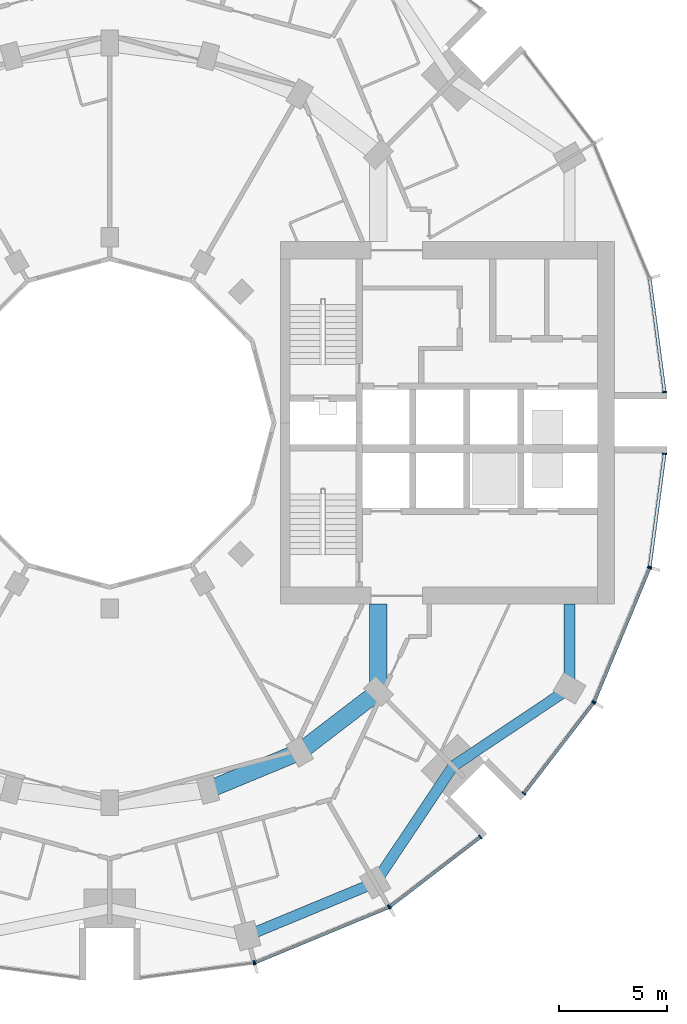
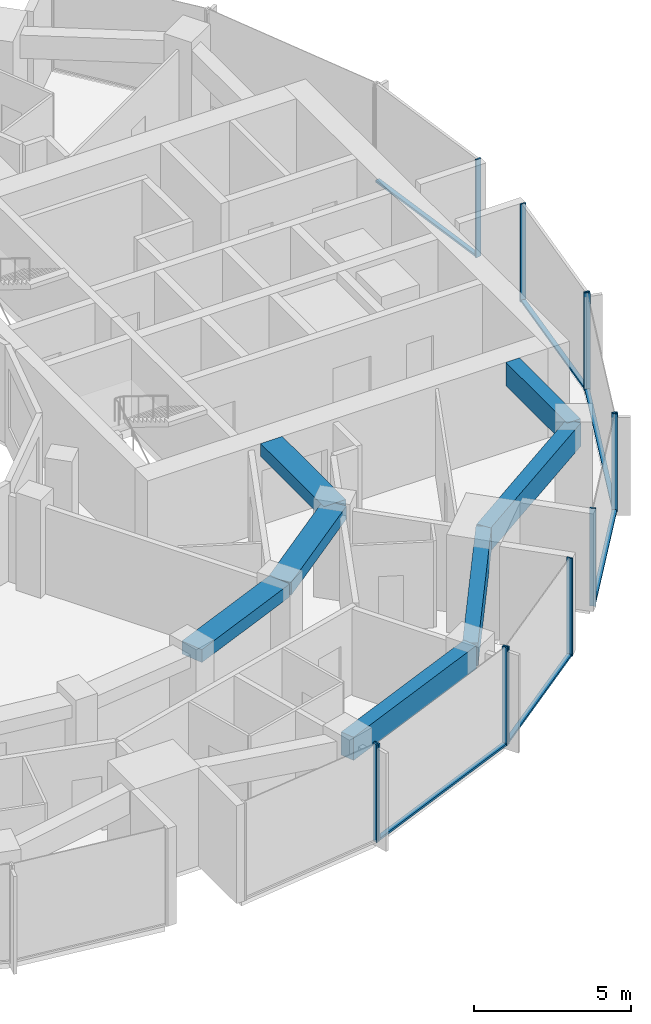
# One storey, part 4 of 15: 18 members, 7 beams, 7 elements without a shape of their own.
"""IFC4 building model written with IfcOpenShell, lengths in metres."""

import ifcopenshell
import ifcopenshell.guid

model = None  # the IFC model being written
_history = None  # IfcOwnerHistory: only IFC2X3 demands one
_inside = {}  # id of a spatial element -> (the spatial element, [elements in it])
_under = {}  # id of a project, library or spatial element -> (it, [spatial elements below it])
_declared = {}  # id of a project -> (the project, [libraries it declares])
_typed = {}  # id of a type object -> (the type object, [elements of that type])
_made_of = {}  # id of a material, layer set ... -> (it, [elements and type objects made of it])


def new_model(schema):
    """Start an empty IFC model of exactly this schema.

    Asked for "IFC4X3", IfcOpenShell would pick the latest addendum, in which some entities
    have other attributes; the version numbers below select the first issue.
    IFC2X3 requires an IfcOwnerHistory on every rooted entity: one is made here for all.
    """
    global model, _history
    if schema == "IFC4X3":
        model = ifcopenshell.file(schema_version=(4, 3, 0, 0))
    else:
        model = ifcopenshell.file(schema=schema)
    _inside.clear()
    _under.clear()
    _declared.clear()
    _typed.clear()
    _made_of.clear()
    _history = None
    if model.schema == "IFC2X3":
        org = make("IfcOrganization", Name="unknown")
        user = make(
            "IfcPersonAndOrganization",
            ThePerson=make("IfcPerson", FamilyName="unknown"),
            TheOrganization=org,
        )
        app = make(
            "IfcApplication",
            ApplicationDeveloper=org,
            Version="unknown",
            ApplicationFullName="unknown",
            ApplicationIdentifier="unknown",
        )
        _history = make(
            "IfcOwnerHistory",
            OwningUser=user,
            OwningApplication=app,
            ChangeAction="ADDED",
            CreationDate=0,
        )
    return model


def make(cls, **values):
    """One entity of the class cls with the attributes given. An attribute that is None is left unset."""
    return model.create_entity(
        cls, **{name: value for name, value in values.items() if value is not None}
    )


def rooted(cls, **values):
    """An entity with a GlobalId (a new one), such as an element, a storey or a relation."""
    return make(cls, GlobalId=ifcopenshell.guid.new(), OwnerHistory=_history, **values)


def si_unit(unit_type, name, prefix=None):
    """IfcSIUnit, for example si_unit("LENGTHUNIT", "METRE", prefix="MILLI")."""
    return make("IfcSIUnit", UnitType=unit_type, Prefix=prefix, Name=name)


def assignment(units):
    """IfcUnitAssignment: the units of a project."""
    return None if units is None else make("IfcUnitAssignment", Units=units)


def point(xyz):
    """IfcCartesianPoint."""
    return None if xyz is None else make("IfcCartesianPoint", Coordinates=xyz)


def direction(xyz):
    """IfcDirection."""
    return None if xyz is None else make("IfcDirection", DirectionRatios=xyz)


def frame(location, z_axis=None, x_axis=None):
    """IfcAxis2Placement3D, a coordinate frame: its origin and axes. An axis left out is left unset."""
    return make(
        "IfcAxis2Placement3D",
        Location=point(location),
        Axis=direction(z_axis),
        RefDirection=direction(x_axis),
    )


def frame_2d(location, x_axis=None):
    """IfcAxis2Placement2D, a coordinate frame in the plane: its origin and x axis."""
    return make(
        "IfcAxis2Placement2D", Location=point(location), RefDirection=direction(x_axis)
    )


def origin():
    """The frame at (0, 0, 0) with its axes left unset."""
    return frame((0.0, 0.0, 0.0))


def origin_2d():
    """The frame at (0, 0) in the plane with its x axis left unset."""
    return frame_2d((0.0, 0.0))


def place(relative_to, where):
    """IfcLocalPlacement: puts the frame where relative to a parent placement (None: the world)."""
    return make(
        "IfcLocalPlacement", PlacementRelTo=relative_to, RelativePlacement=where
    )


def context(
    kind, dimensions, precision=None, world=None, true_north=None, identifier=None
):
    """IfcGeometricRepresentationContext, for example the 3D "Model" context."""
    return make(
        "IfcGeometricRepresentationContext",
        ContextIdentifier=identifier,
        ContextType=kind,
        CoordinateSpaceDimension=dimensions,
        Precision=precision,
        WorldCoordinateSystem=world,
        TrueNorth=true_north,
    )


def subcontext(parent, identifier, kind, view, scale=None):
    """IfcGeometricRepresentationSubContext, for example "Body" below "Model"."""
    return make(
        "IfcGeometricRepresentationSubContext",
        ContextIdentifier=identifier,
        ContextType=kind,
        ParentContext=parent,
        TargetScale=scale,
        TargetView=view,
    )


def project(units=None, contexts=None):
    """IfcProject with its units and contexts."""
    return rooted(
        "IfcProject",
        Name="project",
        RepresentationContexts=contexts,
        UnitsInContext=assignment(units),
    )


def spatial(cls, under=None, at=None, **own):
    """A site, building, storey or space (cls), placed at a placement, below another one or the project."""
    s = rooted(cls, ObjectPlacement=at, **own)
    if under is not None:
        _under.setdefault(under.id(), (under, []))[1].append(s)
    return s


def profile(cls, at=None, kind="AREA", **sizes):
    """A parametric profile (cls). Its sizes go by their IFC names, for example OverallWidth=200.0."""
    return make(cls, ProfileType=kind, Position=at, **sizes)


def rectangle(**sizes):
    """IfcRectangleProfileDef."""
    return profile("IfcRectangleProfileDef", **sizes)


def extrude(swept, where, along, depth):
    """IfcExtrudedAreaSolid: the profile swept, set in the frame where, extruded along a direction by depth."""
    return make(
        "IfcExtrudedAreaSolid",
        SweptArea=swept,
        Position=where,
        ExtrudedDirection=direction(along),
        Depth=depth,
    )


def shape(context_of_items, identifier, shape_type, items):
    """IfcShapeRepresentation: the items that make up one representation, for example the "Body"."""
    return make(
        "IfcShapeRepresentation",
        ContextOfItems=context_of_items,
        RepresentationIdentifier=identifier,
        RepresentationType=shape_type,
        Items=items,
    )


def material(Name=None, Category=None):
    """IfcMaterial."""
    return make("IfcMaterial", Name=Name, Category=Category)


def layer(
    of_material, thickness, ventilated=None, Name=None, Category=None, Priority=None
):
    """IfcMaterialLayer: one layer of a wall or slab, of a material (None: an air gap)."""
    return make(
        "IfcMaterialLayer",
        Material=of_material,
        LayerThickness=thickness,
        IsVentilated=ventilated,
        Name=Name,
        Category=Category,
        Priority=Priority,
    )


def layer_set(layers, Name=None):
    """IfcMaterialLayerSet."""
    return make("IfcMaterialLayerSet", MaterialLayers=layers, LayerSetName=Name)


def material_profile(
    of_material, cross_section, Name=None, Category=None, Priority=None
):
    """IfcMaterialProfile: a cross section and its material."""
    return make(
        "IfcMaterialProfile",
        Name=Name,
        Material=of_material,
        Profile=cross_section,
        Priority=Priority,
        Category=Category,
    )


def profile_set(profiles, Name=None, composite=None):
    """IfcMaterialProfileSet."""
    return make(
        "IfcMaterialProfileSet",
        Name=Name,
        MaterialProfiles=profiles,
        CompositeProfile=composite,
    )


def made_of(thing, what):
    """Note that an element or type object is made of a material, layer set ...; save() writes the relation."""
    if what is not None:
        _made_of.setdefault(what.id(), (what, []))[1].append(thing)
    return thing


def type_object(cls, material=None, **own):
    """A type object (cls), such as IfcWallType, which elements share."""
    return made_of(rooted(cls, **own), material)


def element(
    cls,
    number,
    at=None,
    inside=None,
    cuts=None,
    type_object=None,
    material=None,
    context=None,
    identifier="Body",
    shape_type=None,
    held_by="IfcProductDefinitionShape",
    body=None,
    shapes=None,
    **own,
):
    """One element of the class cls, such as IfcWall. Its Tag is "e" and its number.

    at: its placement. inside: the storey or other place that contains it. cuts: it is an
    opening in that element (IfcRelVoidsElement). A single representation is given by context,
    identifier, shape_type and body (its items); several are given by shapes. held_by: the class
    of the entity that holds the representations. save() writes the other relations.
    """
    e = rooted(cls, Tag="e%d" % number, ObjectPlacement=at, **own)
    if body is not None:
        shapes = [shape(context, identifier, shape_type, body)]
    if shapes is not None:
        e.Representation = make(held_by, Representations=shapes)
    if inside is not None:
        _inside.setdefault(inside.id(), (inside, []))[1].append(e)
    if cuts is not None:
        rooted(
            "IfcRelVoidsElement", RelatingBuildingElement=cuts, RelatedOpeningElement=e
        )
    if type_object is not None:
        _typed.setdefault(type_object.id(), (type_object, []))[1].append(e)
    return made_of(e, material)


def aggregate(whole, parts):
    """IfcRelAggregates: a whole, such as a stair, and the parts it consists of."""
    return rooted("IfcRelAggregates", RelatingObject=whole, RelatedObjects=parts)


def save(model, path):
    """Write the relations noted so far, then the file.

    IfcRelAggregates (storeys below a building ...), IfcRelContainedInSpatialStructure (elements
    in a storey), IfcRelDefinesByType, IfcRelAssociatesMaterial and IfcRelDeclares: one each for
    every whole, place, type object, material and project.
    """
    for whole, parts in _under.values():
        aggregate(whole, parts)
    for where, things in _inside.values():
        rooted(
            "IfcRelContainedInSpatialStructure",
            RelatedElements=things,
            RelatingStructure=where,
        )
    for kind, things in _typed.values():
        rooted("IfcRelDefinesByType", RelatedObjects=things, RelatingType=kind)
    for what, things in _made_of.values():
        rooted("IfcRelAssociatesMaterial", RelatedObjects=things, RelatingMaterial=what)
    for by, libraries in _declared.values():
        rooted("IfcRelDeclares", RelatingContext=by, RelatedDefinitions=libraries)
    model.write(path)


model = new_model("IFC4")

# Units and contexts
model_context = context("Model", 3, precision=1e-05, world=origin(), true_north=direction((0.0, 1.0)))
body_context = subcontext(model_context, "Body", "Model", "MODEL_VIEW")
ifc_project = project(units=[si_unit("LENGTHUNIT", "METRE"), si_unit("AREAUNIT", "SQUARE_METRE"), si_unit("VOLUMEUNIT", "CUBIC_METRE"), si_unit("PLANEANGLEUNIT", "RADIAN"), si_unit("MASSUNIT", "GRAM", prefix="KILO")], contexts=[model_context])

# Site, building, storey
site_placement = place(None, origin())
site = spatial("IfcSite", under=ifc_project, at=site_placement, CompositionType="ELEMENT")
building_placement = place(site_placement, origin())
building = spatial("IfcBuilding", under=site, at=building_placement, Name="Torre Brocal", CompositionType="ELEMENT")
storey_placement = place(building_placement, frame((0.0, 0.0, 90.0)))
storey = spatial("IfcBuildingStorey", under=building, at=storey_placement, Name="L20", CompositionType="ELEMENT", Elevation=90.0)

# Curtain wall, member
ifc_material_1 = material(Name="Aluminium and glass", Category="aluminium")
ifc_layer_1 = layer(ifc_material_1, 0.199951171875)
ifc_layer_set_1 = layer_set([ifc_layer_1], Name="Aluminium and glass")
curtain_wall_type_1 = type_object("IfcCurtainWallType", Name="CW-1 CURTAIN WALL 3800 HIGH", PredefinedType="NOTDEFINED", material=ifc_layer_set_1)
curtain_wall_1_placement = place(storey_placement, origin())
curtain_wall_1 = element("IfcCurtainWall", 1, at=curtain_wall_1_placement, inside=storey, type_object=curtain_wall_type_1, Name="CW-1 RUN 19", PredefinedType="NOTDEFINED")
ifc_material_2 = material(Name="Aluminium, dark anodised", Category="aluminium")
ifc_material_profile_1 = material_profile(ifc_material_2, rectangle(XDim=0.199951171875, YDim=0.06005859375, at=origin_2d()), Name="CW-1 MULLION 60X200")
ifc_profile_set_1 = profile_set([ifc_material_profile_1], Name="Aluminium, dark anodised")
member_type_1 = type_object("IfcMemberType", Name="CW-1 MULLION 60X200", PredefinedType="MULLION", material=ifc_profile_set_1)
member_1_placement = place(storey_placement, frame((86.67333984375, 49.9794921875, 0.0), z_axis=(0.0, 0.0, 1.0), x_axis=(-0.13052619222, 0.991444861374, 0.0)))
member_1 = element("IfcMember", 2, at=member_1_placement, type_object=member_type_1, Name="CW1-1 mullion 2", PredefinedType="MULLION", context=body_context, shape_type="SweptSolid", body=[
    extrude(rectangle(XDim=0.199951171875, YDim=0.06005859375, at=origin_2d()), origin(), (0.0, 0.0, 1.0), 3.800048828125),
])
aggregate(curtain_wall_1, [member_1])

# Curtain wall, members
curtain_wall_2_placement = place(storey_placement, origin())
curtain_wall_2 = element("IfcCurtainWall", 3, at=curtain_wall_2_placement, inside=storey, type_object=curtain_wall_type_1, Name="CW-1 RUN 20", PredefinedType="NOTDEFINED")
member_2_placement = place(storey_placement, frame((86.73095703125, 49.994873046875, 0.0), z_axis=(0.0, 0.0, 1.0), x_axis=(-0.382683432333, 0.923879532525, 0.0)))
member_2 = element("IfcMember", 4, at=member_2_placement, type_object=member_type_1, Name="CW1-1 mullion 1", PredefinedType="MULLION", context=body_context, shape_type="SweptSolid", body=[
    extrude(rectangle(XDim=0.199951171875, YDim=0.06005859375, at=origin_2d()), origin(), (0.0, 0.0, 1.0), 3.800048828125),
])
member_3_placement = place(storey_placement, frame((92.921875, 52.559326171875, 0.0), z_axis=(0.0, 0.0, 1.0), x_axis=(-0.382683432333, 0.923879532525, 0.0)))
member_3 = element("IfcMember", 5, at=member_3_placement, type_object=member_type_1, Name="CW1-1 mullion 2", PredefinedType="MULLION", context=body_context, shape_type="SweptSolid", body=[
    extrude(rectangle(XDim=0.199951171875, YDim=0.06005859375, at=origin_2d()), origin(), (0.0, 0.0, 1.0), 3.800048828125),
])

curtain_wall_3_placement = place(storey_placement, origin())
curtain_wall_3 = element("IfcCurtainWall", 6, at=curtain_wall_3_placement, inside=storey, type_object=curtain_wall_type_1, Name="CW-1 RUN 21", PredefinedType="NOTDEFINED")
member_4_placement = place(storey_placement, frame((92.973388671875, 52.5888671875, 0.0), z_axis=(0.0, 0.0, 1.0), x_axis=(-0.60876142905, 0.793353340259, 0.0)))
member_4 = element("IfcMember", 7, at=member_4_placement, type_object=member_type_1, Name="CW1-1 mullion 1", PredefinedType="MULLION", context=body_context, shape_type="SweptSolid", body=[
    extrude(rectangle(XDim=0.199951171875, YDim=0.06005859375, at=origin_2d()), origin(), (0.0, 0.0, 1.0), 3.800048828125),
])
member_5_placement = place(storey_placement, frame((97.16943359375, 55.80859375, 0.0), z_axis=(0.0, 0.0, 1.0), x_axis=(-0.60876142905, 0.793353340259, 0.0)))
member_5 = element("IfcMember", 8, at=member_5_placement, type_object=member_type_1, Name="CW1-1 mullion 2", PredefinedType="MULLION", context=body_context, shape_type="SweptSolid", body=[
    extrude(rectangle(XDim=0.199951171875, YDim=0.06005859375, at=origin_2d()), origin(), (0.0, 0.0, 1.0), 3.800048828125),
])

curtain_wall_4_placement = place(storey_placement, origin())
curtain_wall_4 = element("IfcCurtainWall", 9, at=curtain_wall_4_placement, inside=storey, type_object=curtain_wall_type_1, Name="CW-1 RUN 22", PredefinedType="NOTDEFINED")
member_6_placement = place(storey_placement, frame((99.19140625, 57.83056640625, 0.0), z_axis=(0.0, 0.0, 1.0), x_axis=(-0.793353340259, 0.60876142905, 0.0)))
member_6 = element("IfcMember", 10, at=member_6_placement, type_object=member_type_1, Name="CW1-1 mullion 1", PredefinedType="MULLION", context=body_context, shape_type="SweptSolid", body=[
    extrude(rectangle(XDim=0.199951171875, YDim=0.06005859375, at=origin_2d()), origin(), (0.0, 0.0, 1.0), 3.800048828125),
])
member_7_placement = place(storey_placement, frame((102.4111328125, 62.026611328125, 0.0), z_axis=(0.0, 0.0, 1.0), x_axis=(-0.793353340259, 0.60876142905, 0.0)))
member_7 = element("IfcMember", 11, at=member_7_placement, type_object=member_type_1, Name="CW1-1 mullion 2", PredefinedType="MULLION", context=body_context, shape_type="SweptSolid", body=[
    extrude(rectangle(XDim=0.199951171875, YDim=0.06005859375, at=origin_2d()), origin(), (0.0, 0.0, 1.0), 3.800048828125),
])

curtain_wall_5_placement = place(storey_placement, origin())
curtain_wall_5 = element("IfcCurtainWall", 12, at=curtain_wall_5_placement, inside=storey, type_object=curtain_wall_type_1, Name="CW-1 RUN 23", PredefinedType="NOTDEFINED")
member_8_placement = place(storey_placement, frame((102.440673828125, 62.078125, 0.0), z_axis=(0.0, 0.0, 1.0), x_axis=(-0.923879532525, 0.382683432333, 0.0)))
member_8 = element("IfcMember", 13, at=member_8_placement, type_object=member_type_1, Name="CW1-1 mullion 1", PredefinedType="MULLION", context=body_context, shape_type="SweptSolid", body=[
    extrude(rectangle(XDim=0.199951171875, YDim=0.06005859375, at=origin_2d()), origin(), (0.0, 0.0, 1.0), 3.800048828125),
])
member_9_placement = place(storey_placement, frame((105.005126953125, 68.26904296875, 0.0), z_axis=(0.0, 0.0, 1.0), x_axis=(-0.923879532525, 0.382683432333, 0.0)))
member_9 = element("IfcMember", 14, at=member_9_placement, type_object=member_type_1, Name="CW1-1 mullion 2", PredefinedType="MULLION", context=body_context, shape_type="SweptSolid", body=[
    extrude(rectangle(XDim=0.199951171875, YDim=0.06005859375, at=origin_2d()), origin(), (0.0, 0.0, 1.0), 3.800048828125),
])

# Member
ifc_material_3 = material(Name="Aluminium, dark anodised", Category="aluminium")
ifc_material_profile_2 = material_profile(ifc_material_3, rectangle(XDim=0.159912109375, YDim=0.080078125, at=origin_2d()), Name="CW-1 TRANSOM 160X80")
ifc_profile_set_2 = profile_set([ifc_material_profile_2], Name="Aluminium, dark anodised")
member_type_2 = type_object("IfcMemberType", Name="CW-1 TRANSOM 160X80", PredefinedType="USERDEFINED", material=ifc_profile_set_2)
member_10_placement = place(storey_placement, frame((86.758544921875, 50.00634765625, 0.0400390625), z_axis=(0.923887344364, 0.38266457234, 0.0), x_axis=(-0.38266457234, 0.923887344364, 0.0)))
member_10 = element("IfcMember", 15, at=member_10_placement, type_object=member_type_2, Name="CW1-1 transom 1.1", ObjectType="TRANSOM", PredefinedType="USERDEFINED", context=body_context, shape_type="SweptSolid", body=[
    extrude(rectangle(XDim=0.159912109375, YDim=0.080078125, at=origin_2d()), origin(), (0.0, 0.0, 1.0), 6.640869140625),
])

aggregate(curtain_wall_2, [member_2, member_3, member_10])

member_11_placement = place(storey_placement, frame((92.9970703125, 52.607177734375, 0.0400390625), z_axis=(0.79336281513, 0.60874908096, 0.0), x_axis=(-0.60874908096, 0.79336281513, 0.0)))
member_11 = element("IfcMember", 16, at=member_11_placement, type_object=member_type_2, Name="CW1-1 transom 1.1", ObjectType="TRANSOM", PredefinedType="USERDEFINED", context=body_context, shape_type="SweptSolid", body=[
    extrude(rectangle(XDim=0.159912109375, YDim=0.080078125, at=origin_2d()), origin(), (0.0, 0.0, 1.0), 5.22900390625),
])

aggregate(curtain_wall_3, [member_4, member_5, member_11])

member_12_placement = place(storey_placement, frame((99.209716796875, 57.8544921875, 0.0400390625), z_axis=(0.60874908096, 0.79336281513, 0.0), x_axis=(-0.79336281513, 0.60874908096, 0.0)))
member_12 = element("IfcMember", 17, at=member_12_placement, type_object=member_type_2, Name="CW1-1 transom 1.1", ObjectType="TRANSOM", PredefinedType="USERDEFINED", context=body_context, shape_type="SweptSolid", body=[
    extrude(rectangle(XDim=0.159912109375, YDim=0.080078125, at=origin_2d()), origin(), (0.0, 0.0, 1.0), 5.22900390625),
])

aggregate(curtain_wall_4, [member_6, member_7, member_12])

member_13_placement = place(storey_placement, frame((102.452392578125, 62.10595703125, 0.0400390625), z_axis=(0.38266457234, 0.923887344364, 0.0), x_axis=(-0.923887344364, 0.38266457234, 0.0)))
member_13 = element("IfcMember", 18, at=member_13_placement, type_object=member_type_2, Name="CW1-1 transom 1.1", ObjectType="TRANSOM", PredefinedType="USERDEFINED", context=body_context, shape_type="SweptSolid", body=[
    extrude(rectangle(XDim=0.159912109375, YDim=0.080078125, at=origin_2d()), origin(), (0.0, 0.0, 1.0), 6.640869140625),
])

aggregate(curtain_wall_5, [member_8, member_9, member_13])

# Curtain wall, member
ifc_material_4 = material(Name="Aluminium and glass", Category="aluminium")
ifc_layer_2 = layer(ifc_material_4, 0.199951171875)
ifc_layer_set_2 = layer_set([ifc_layer_2], Name="Aluminium and glass")
curtain_wall_type_2 = type_object("IfcCurtainWallType", Name="CW-1B CURTAIN WALL 3800 HIGH", PredefinedType="NOTDEFINED", material=ifc_layer_set_2)
curtain_wall_6_placement = place(storey_placement, origin())
curtain_wall_6 = element("IfcCurtainWall", 19, at=curtain_wall_6_placement, inside=storey, type_object=curtain_wall_type_2, Name="CW-1B RUN 1", PredefinedType="NOTDEFINED")
ifc_material_5 = material(Name="Aluminium, dark anodised", Category="aluminium")
ifc_material_profile_3 = material_profile(ifc_material_5, rectangle(XDim=0.199951171875, YDim=0.06005859375, at=origin_2d()), Name="CW-1B MULLION 60X200")
ifc_profile_set_3 = profile_set([ifc_material_profile_3], Name="Aluminium, dark anodised")
member_type_3 = type_object("IfcMemberType", Name="CW-1B MULLION 60X200", PredefinedType="MULLION", material=ifc_profile_set_3)
member_14_placement = place(storey_placement, frame((105.7109375, 76.4296875, 0.0), z_axis=(0.0, 0.0, 1.0), x_axis=(-0.991444861374, -0.13052619222, 0.0)))
member_14 = element("IfcMember", 20, at=member_14_placement, type_object=member_type_3, Name="CW1B-1 mullion 1", PredefinedType="MULLION", context=body_context, shape_type="SweptSolid", body=[
    extrude(rectangle(XDim=0.199951171875, YDim=0.06005859375, at=origin_2d()), origin(), (0.0, 0.0, 1.0), 3.800048828125),
])

# Curtain wall, members
curtain_wall_7_placement = place(storey_placement, origin())
curtain_wall_7 = element("IfcCurtainWall", 21, at=curtain_wall_7_placement, inside=storey, type_object=curtain_wall_type_2, Name="CW-1B RUN 24", PredefinedType="NOTDEFINED")
member_15_placement = place(storey_placement, frame((105.0205078125, 68.32666015625, 0.0), z_axis=(0.0, 0.0, 1.0), x_axis=(-0.991444861374, 0.13052619222, 0.0)))
member_15 = element("IfcMember", 22, at=member_15_placement, type_object=member_type_3, Name="CW1B-1 mullion 1", PredefinedType="MULLION", context=body_context, shape_type="SweptSolid", body=[
    extrude(rectangle(XDim=0.199951171875, YDim=0.06005859375, at=origin_2d()), origin(), (0.0, 0.0, 1.0), 3.800048828125),
])
member_16_placement = place(storey_placement, frame((105.7109375, 73.5703125, 0.0), z_axis=(0.0, 0.0, 1.0), x_axis=(-0.991444861374, 0.13052619222, 0.0)))
member_16 = element("IfcMember", 23, at=member_16_placement, type_object=member_type_3, Name="CW1B-1 mullion 2", PredefinedType="MULLION", context=body_context, shape_type="SweptSolid", body=[
    extrude(rectangle(XDim=0.199951171875, YDim=0.06005859375, at=origin_2d()), origin(), (0.0, 0.0, 1.0), 3.800048828125),
])

# Member
ifc_material_6 = material(Name="Aluminium, dark anodised", Category="aluminium")
ifc_material_profile_4 = material_profile(ifc_material_6, rectangle(XDim=0.159912109375, YDim=0.080078125, at=origin_2d()), Name="CW-1B TRANSOM 160X80")
ifc_profile_set_4 = profile_set([ifc_material_profile_4], Name="Aluminium, dark anodised")
member_type_4 = type_object("IfcMemberType", Name="CW-1B TRANSOM 160X80", PredefinedType="USERDEFINED", material=ifc_profile_set_4)
member_17_placement = place(storey_placement, frame((105.70703125, 76.45947265625, 0.0400390625), z_axis=(-0.130542677827, 0.991442690863, 0.0), x_axis=(-0.991442690863, -0.130542677827, 0.0)))
member_17 = element("IfcMember", 24, at=member_17_placement, type_object=member_type_4, Name="CW1B-1 transom 1.1", ObjectType="TRANSOM", PredefinedType="USERDEFINED", context=body_context, shape_type="SweptSolid", body=[
    extrude(rectangle(XDim=0.159912109375, YDim=0.080078125, at=origin_2d()), origin(), (0.0, 0.0, 1.0), 5.22900390625),
])

aggregate(curtain_wall_6, [member_14, member_17])

member_18_placement = place(storey_placement, frame((105.0244140625, 68.356201171875, 0.0400390625), z_axis=(0.130542677827, 0.991442690863, 0.0), x_axis=(-0.991442690863, 0.130542677827, 0.0)))
member_18 = element("IfcMember", 25, at=member_18_placement, type_object=member_type_4, Name="CW1B-1 transom 1.1", ObjectType="TRANSOM", PredefinedType="USERDEFINED", context=body_context, shape_type="SweptSolid", body=[
    extrude(rectangle(XDim=0.159912109375, YDim=0.080078125, at=origin_2d()), origin(), (0.0, 0.0, 1.0), 5.22900390625),
])

aggregate(curtain_wall_7, [member_15, member_16, member_18])

# Beams
ifc_material_7 = material(Name="Concrete C50", Category="concrete")
ifc_material_profile_5 = material_profile(ifc_material_7, rectangle(XDim=0.800048828125, YDim=0.5, at=origin_2d()), Name="RC 800X500")
ifc_profile_set_5 = profile_set([ifc_material_profile_5], Name="Concrete C50")
beam_type_1 = type_object("IfcBeamType", Name="RC BEAM 800X500 C50 TOP 3480", PredefinedType="BEAM", material=ifc_profile_set_5)
beam_1_placement = place(storey_placement, frame((84.55517578125, 57.999755859375, 3.22998046875), z_axis=(0.923878240166, 0.382686552348, 0.0), x_axis=(-0.382686552348, 0.923878240166, 0.0)))
element("IfcBeam", 26, at=beam_1_placement, inside=storey, type_object=beam_type_1, Name="Beam BT-19", PredefinedType="BEAM", context=body_context, shape_type="SweptSolid", body=[
    extrude(rectangle(XDim=0.800048828125, YDim=0.5, at=origin_2d()), origin(), (0.0, 0.0, 1.0), 4.5947265625),
])
beam_2_placement = place(storey_placement, frame((88.800048828125, 59.758056640625, 3.22998046875), z_axis=(0.793358265959, 0.6087550097, 0.0), x_axis=(-0.6087550097, 0.793358265959, 0.0)))
element("IfcBeam", 27, at=beam_2_placement, inside=storey, type_object=beam_type_1, Name="Beam BT-19", PredefinedType="BEAM", context=body_context, shape_type="SweptSolid", body=[
    extrude(rectangle(XDim=0.800048828125, YDim=0.5, at=origin_2d()), origin(), (0.0, 0.0, 1.0), 4.594482421875),
])
beam_3_placement = place(storey_placement, frame((92.445068359375, 62.554931640625, 3.22998046875), z_axis=(0.0, 1.0, 0.0), x_axis=(-1.0, 0.0, 0.0)))
element("IfcBeam", 28, at=beam_3_placement, inside=storey, type_object=beam_type_1, Name="Beam BT-19", PredefinedType="BEAM", context=body_context, shape_type="SweptSolid", body=[
    extrude(rectangle(XDim=0.800048828125, YDim=0.5, at=origin_2d()), origin(), (0.0, 0.0, 1.0), 4.045166015625),
])
ifc_material_8 = material(Name="Concrete C50", Category="concrete")
ifc_material_profile_6 = material_profile(ifc_material_8, rectangle(XDim=0.5, YDim=0.89990234375, at=origin_2d()), Name="RC 500X900")
ifc_profile_set_6 = profile_set([ifc_material_profile_6], Name="Concrete C50")
beam_type_2 = type_object("IfcBeamType", Name="RC SPANDREL BEAM 500X900 C50 TOP 3480", PredefinedType="SPANDREL", material=ifc_profile_set_6)
beam_4_placement = place(storey_placement, frame((86.366943359375, 51.23828125, 3.030029296875), z_axis=(0.923882462513, 0.382676358639, 0.0), x_axis=(-0.382676358639, 0.923882462513, 0.0)))
element("IfcBeam", 29, at=beam_4_placement, inside=storey, type_object=beam_type_2, Name="Beam BT-20", PredefinedType="SPANDREL", context=body_context, shape_type="SweptSolid", body=[
    extrude(rectangle(XDim=0.5, YDim=0.89990234375, at=origin_2d()), origin(), (0.0, 0.0, 1.0), 6.421875),
])
for number, where, z_axis, x_axis, name in (
    (30, (92.300048828125, 53.69580078125, 3.030029296875), (0.556157602282, 0.831076844476, 0.0), (-0.831076844476, 0.556157602282, 0.0), "Beam BT-20"),
    (31, (95.909912109375, 59.090087890625, 3.030029296875), (0.831076844476, 0.556157602282, 0.0), (-0.556157602282, 0.831076844476, 0.0), "Beam BT-20"),
):
    element("IfcBeam", number, at=place(storey_placement, frame(where, z_axis=z_axis, x_axis=x_axis)), inside=storey, type_object=beam_type_2, Name=name, PredefinedType="SPANDREL", context=body_context, shape_type="SweptSolid", body=[
        extrude(rectangle(XDim=0.5, YDim=0.89990234375, at=origin_2d()), origin(), (0.0, 0.0, 1.0), 6.49072265625),
    ])
beam_5_placement = place(storey_placement, frame((101.30419921875, 62.699951171875, 3.030029296875), z_axis=(0.0, 1.0, 0.0), x_axis=(-1.0, 0.0, 0.0)))
element("IfcBeam", 32, at=beam_5_placement, inside=storey, type_object=beam_type_2, Name="Beam BT-20", PredefinedType="SPANDREL", context=body_context, shape_type="SweptSolid", body=[
    extrude(rectangle(XDim=0.5, YDim=0.89990234375, at=origin_2d()), origin(), (0.0, 0.0, 1.0), 3.900146484375),
])

save(model, "model.ifc")
